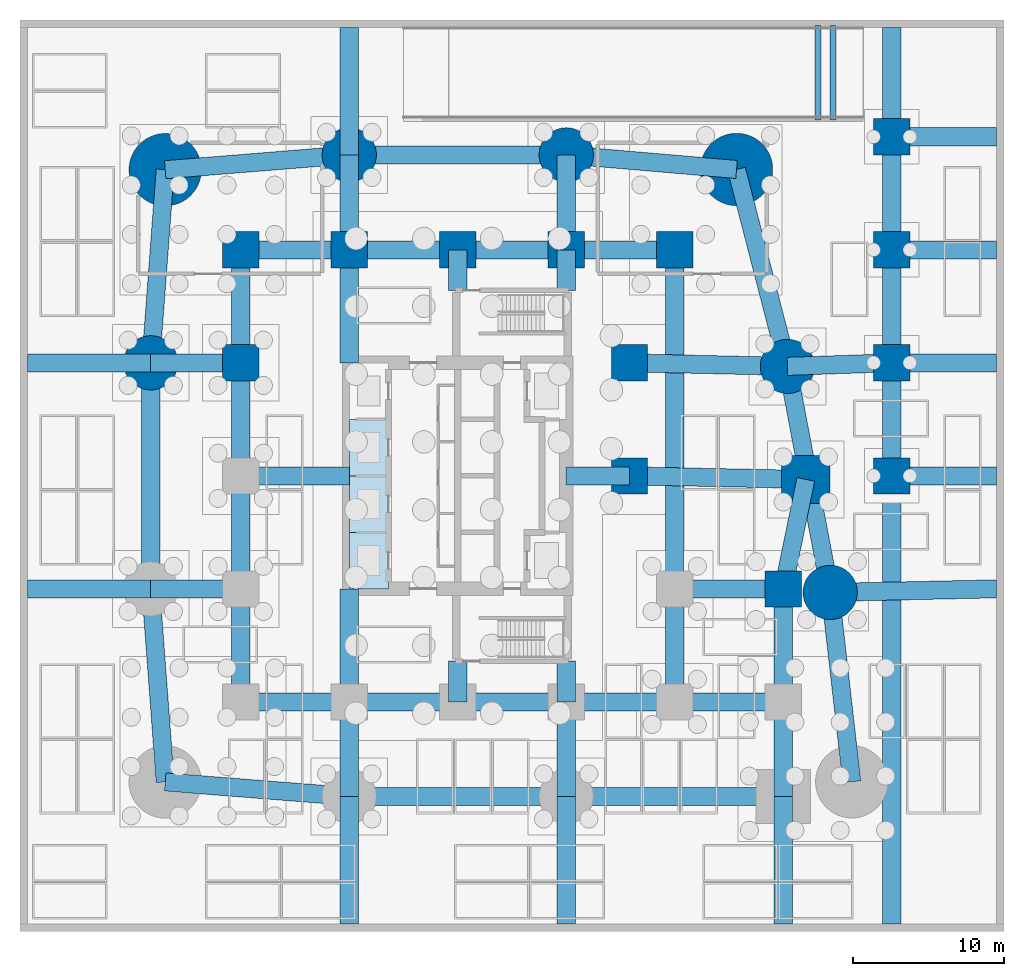
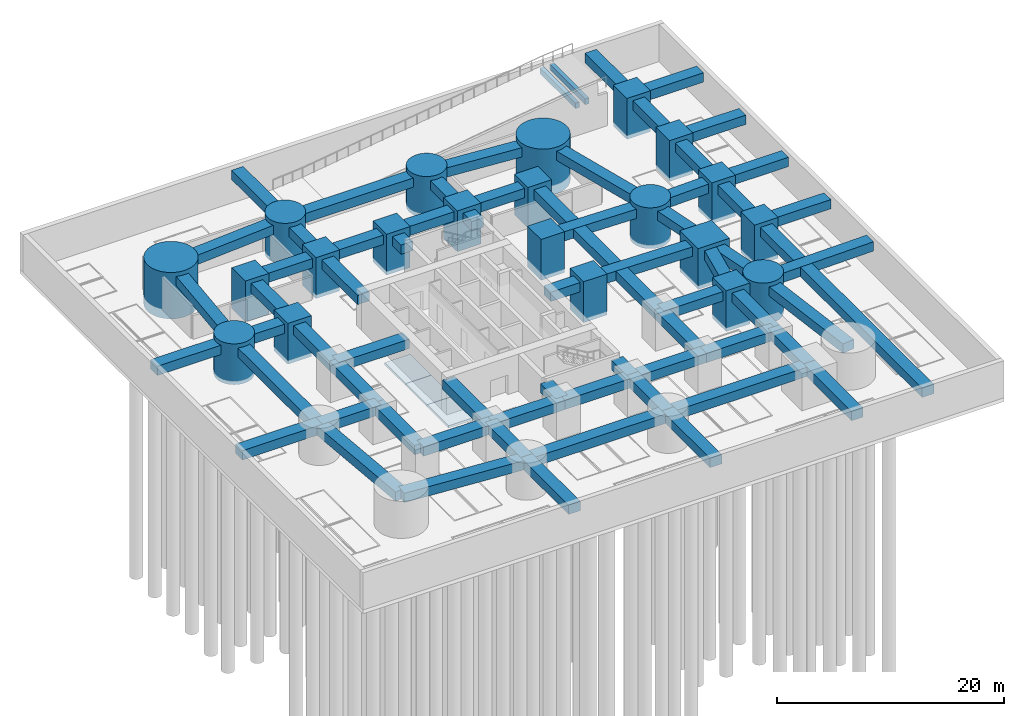
# One storey, part 2 of 10: 66 beams, 21 columns, 3 slabs.
"""IFC4 building model written with IfcOpenShell, lengths in metres."""

from ifc_helpers import new_model, si_unit, direction, frame, origin, origin_2d, place, context, subcontext, project, spatial, polyline, rectangle, circle, outline, extrude, material, layer, layer_set, material_profile, profile_set, type_object, element, save


model = new_model("IFC4")

# Units and contexts
model_context = context("Model", 3, precision=1e-05, world=origin(), true_north=direction((0.0, 1.0)))
body_context = subcontext(model_context, "Body", "Model", "MODEL_VIEW")
ifc_project = project(units=[si_unit("LENGTHUNIT", "METRE"), si_unit("AREAUNIT", "SQUARE_METRE"), si_unit("VOLUMEUNIT", "CUBIC_METRE"), si_unit("PLANEANGLEUNIT", "RADIAN"), si_unit("MASSUNIT", "GRAM", prefix="KILO")], contexts=[model_context])

# Site, building, storey
site_placement = place(None, origin())
site = spatial("IfcSite", under=ifc_project, at=site_placement, CompositionType="ELEMENT")
building_placement = place(site_placement, origin())
building = spatial("IfcBuilding", under=site, at=building_placement, Name="Sheger Commons Tower", CompositionType="ELEMENT")
storey_placement = place(building_placement, frame((0.0, 0.0, -8.0)))
storey = spatial("IfcBuildingStorey", under=building, at=storey_placement, Name="B2", CompositionType="ELEMENT", Elevation=-8.0)

# Columns
ifc_material_1 = material(Name="Concrete C50/60", Category="concrete")
ifc_material_profile_1 = material_profile(ifc_material_1, circle(Radius=1.800048828125, at=origin_2d()), Name="RC D3600")
ifc_profile_set_1 = profile_set([ifc_material_profile_1], Name="Concrete C50/60")
column_type_1 = type_object("IfcColumnType", Name="COLUMN PILOTIS RC D3600", PredefinedType="COLUMN", material=ifc_profile_set_1)
for number, where, z_axis, x_axis, name in (
    (1, (46.31396484375, 14.762939453125, -0.39990234375), (0.0, 0.0, 1.0), (1.0, 0.0, 0.0), "Column E/C B2"),
    (2, (1.22509765625, 30.0, -0.39990234375), (0.0, 0.0, 1.0), (1.0, 0.0, 0.0), "Column 1/E B2"),
    (3, (43.47998046875, 29.762939453125, -0.39990234375), (0.0, 0.0, 1.0), (1.0, 0.0, 0.0), "Column E/E B2"),
    (4, (14.39990234375, 43.800048828125, -0.39990234375), (0.0, 0.0, 1.0), (1.0, 0.0, 0.0), "Column 3/G B2"),
    (5, (28.800048828125, 43.800048828125, -0.39990234375), (0.0, 0.0, 1.0), (1.0, 0.0, 0.0), "Column 5/G B2"),
):
    element("IfcColumn", number, at=place(storey_placement, frame(where, z_axis=z_axis, x_axis=x_axis)), inside=storey, type_object=column_type_1, Name=name, PredefinedType="COLUMN", context=body_context, shape_type="SweptSolid", body=[
        extrude(circle(Radius=1.800048828125, at=origin_2d()), origin(), (0.0, 0.0, 1.0), 4.39990234375),
    ])
ifc_material_2 = material(Name="Concrete C50/60", Category="concrete")
ifc_material_profile_2 = material_profile(ifc_material_2, circle(Radius=2.39990234375, at=origin_2d()), Name="RC D4800")
ifc_profile_set_2 = profile_set([ifc_material_profile_2], Name="Concrete C50/60")
column_type_2 = type_object("IfcColumnType", Name="COLUMN PILOTIS RC D4800", PredefinedType="COLUMN", material=ifc_profile_set_2)
for number, where, z_axis, x_axis, name in (
    (6, (2.18603515625, 42.81396484375, -1.0), (0.0, 0.0, 1.0), (1.0, 0.0, 0.0), "Column 0.630,44.370 B2"),
    (7, (40.10205078125, 42.830078125, -1.0), (0.0, 0.0, 1.0), (1.0, 0.0, 0.0), "Column 41.490,44.505 B2"),
):
    element("IfcColumn", number, at=place(storey_placement, frame(where, z_axis=z_axis, x_axis=x_axis)), inside=storey, type_object=column_type_2, Name=name, PredefinedType="COLUMN", context=body_context, shape_type="SweptSolid", body=[
        extrude(circle(Radius=2.39990234375, at=origin_2d()), origin(), (0.0, 0.0, 1.0), 5.0),
    ])
ifc_material_3 = material(Name="Concrete C50/60", Category="concrete")
ifc_material_profile_3 = material_profile(ifc_material_3, rectangle(XDim=2.39990234375, YDim=2.39990234375, at=origin_2d()), Name="RC 2400x2400")
ifc_profile_set_3 = profile_set([ifc_material_profile_3], Name="Concrete C50/60")
column_type_3 = type_object("IfcColumnType", Name="COLUMN RC 2400x2400", PredefinedType="COLUMN", material=ifc_profile_set_3)
for number, where, z_axis, x_axis, name in (
    (8, (43.199951171875, 15.0, -0.39990234375), (0.0, 0.0, 1.0), (1.0, 0.0, 0.0), "Column 7/C B2"),
    (9, (33.0, 22.5, -0.39990234375), (0.0, 0.0, 1.0), (1.0, 0.0, 0.0), "Column 6-3000/D B2"),
    (10, (50.39990234375, 22.5, -0.39990234375), (0.0, 0.0, 1.0), (1.0, 0.0, 0.0), "Column 8/D B2"),
    (11, (7.199951171875, 30.0, -0.39990234375), (0.0, 0.0, 1.0), (1.0, 0.0, 0.0), "Column 2/E B2"),
    (12, (33.0, 30.0, -0.39990234375), (0.0, 0.0, 1.0), (1.0, 0.0, 0.0), "Column 6-3000/E B2"),
    (13, (50.39990234375, 30.0, -0.39990234375), (0.0, 0.0, 1.0), (1.0, 0.0, 0.0), "Column 8/E B2"),
    (14, (7.199951171875, 37.5, -0.39990234375), (0.0, 0.0, 1.0), (1.0, 0.0, 0.0), "Column 2/F B2"),
    (15, (14.39990234375, 37.5, -0.39990234375), (0.0, 0.0, 1.0), (1.0, 0.0, 0.0), "Column 3/F B2"),
    (16, (21.60009765625, 37.5, -0.39990234375), (0.0, 0.0, 1.0), (1.0, 0.0, 0.0), "Column 4/F B2"),
    (17, (28.800048828125, 37.5, -0.39990234375), (0.0, 0.0, 1.0), (1.0, 0.0, 0.0), "Column 5/F B2"),
    (18, (36.0, 37.5, -0.39990234375), (0.0, 0.0, 1.0), (1.0, 0.0, 0.0), "Column 6/F B2"),
    (19, (50.39990234375, 37.5, -0.39990234375), (0.0, 0.0, 1.0), (1.0, 0.0, 0.0), "Column 8/F B2"),
    (20, (50.39990234375, 45.0, -0.39990234375), (0.0, 0.0, 1.0), (1.0, 0.0, 0.0), "Column 8/G B2"),
):
    element("IfcColumn", number, at=place(storey_placement, frame(where, z_axis=z_axis, x_axis=x_axis)), inside=storey, type_object=column_type_3, Name=name, PredefinedType="COLUMN", context=body_context, shape_type="SweptSolid", body=[
        extrude(rectangle(XDim=2.39990234375, YDim=2.39990234375, at=origin_2d()), origin(), (0.0, 0.0, 1.0), 4.39990234375),
    ])
ifc_material_4 = material(Name="Concrete C50/60", Category="concrete")
ifc_material_profile_4 = material_profile(ifc_material_4, rectangle(XDim=3.199951171875, YDim=3.199951171875, at=origin_2d()), Name="RC 3200x3200")
ifc_profile_set_4 = profile_set([ifc_material_profile_4], Name="Concrete C50/60")
column_type_4 = type_object("IfcColumnType", Name="COLUMN RC 3200x3200", PredefinedType="COLUMN", material=ifc_profile_set_4)
column_placement = place(storey_placement, frame((44.697021484375, 22.262939453125, -0.39990234375), z_axis=(0.0, 0.0, 1.0), x_axis=(1.0, 0.0, 0.0)))
element("IfcColumn", 21, at=column_placement, inside=storey, type_object=column_type_4, Name="Column 7/D B2", PredefinedType="COLUMN", context=body_context, shape_type="SweptSolid", body=[
    extrude(rectangle(XDim=3.199951171875, YDim=3.199951171875, at=origin_2d()), origin(), (0.0, 0.0, 1.0), 4.39990234375),
])

# Beams
ifc_material_5 = material(Name="Concrete C50/60", Category="concrete")
ifc_material_profile_5 = material_profile(ifc_material_5, rectangle(XDim=1.199951171875, YDim=1.0, at=origin_2d()), Name="RC 1200x1000")
ifc_profile_set_5 = profile_set([ifc_material_profile_5], Name="Concrete C50/60")
beam_type_1 = type_object("IfcBeamType", Name="BEAM RC 1200x1000", PredefinedType="BEAM", material=ifc_profile_set_5)
beam_1_placement = place(storey_placement, frame((-6.949951171875, 15.0, 3.050048828125), z_axis=(1.0, 0.0, 0.0), x_axis=(0.0, 1.0, 0.0)))
element("IfcBeam", 22, at=beam_1_placement, inside=storey, type_object=beam_type_1, Name="Beam 0+250/C-1/C under B1", PredefinedType="BEAM", context=body_context, shape_type="SweptSolid", body=[
    extrude(rectangle(XDim=1.199951171875, YDim=1.0, at=origin_2d()), origin(), (0.0, 0.0, 1.0), 8.175048828125),
])
beam_2_placement = place(storey_placement, frame((46.31396484375, 14.762939453125, 3.050048828125), z_axis=(0.999769376014, 0.021475446069, 0.0), x_axis=(-0.021475446069, 0.999769376014, 0.0)))
element("IfcBeam", 23, at=beam_2_placement, inside=storey, type_object=beam_type_1, Name="Beam E/C-9-250/C under B1", PredefinedType="BEAM", context=body_context, shape_type="SweptSolid", body=[
    extrude(rectangle(XDim=1.199951171875, YDim=1.0, at=origin_2d()), origin(), (0.0, 0.0, 1.0), 11.03857421875),
])
beam_3_placement = place(storey_placement, frame((50.39990234375, 22.5, 3.050048828125), z_axis=(1.0, 0.0, 0.0), x_axis=(0.0, 1.0, 0.0)))
element("IfcBeam", 24, at=beam_3_placement, inside=storey, type_object=beam_type_1, Name="Beam 8/D-9-250/D under B1", PredefinedType="BEAM", context=body_context, shape_type="SweptSolid", body=[
    extrude(rectangle(XDim=1.199951171875, YDim=1.0, at=origin_2d()), origin(), (0.0, 0.0, 1.0), 6.9501953125),
])
beam_4_placement = place(storey_placement, frame((-6.949951171875, 30.0, 3.050048828125), z_axis=(1.0, 0.0, 0.0), x_axis=(0.0, 1.0, 0.0)))
element("IfcBeam", 25, at=beam_4_placement, inside=storey, type_object=beam_type_1, Name="Beam 0+250/E-1/E under B1", PredefinedType="BEAM", context=body_context, shape_type="SweptSolid", body=[
    extrude(rectangle(XDim=1.199951171875, YDim=1.0, at=origin_2d()), origin(), (0.0, 0.0, 1.0), 8.175048828125),
])
beam_5_placement = place(storey_placement, frame((43.47998046875, 29.762939453125, 3.050048828125), z_axis=(0.999413721283, 0.034237606667, 0.0), x_axis=(-0.034237606667, 0.999413721283, 0.0)))
element("IfcBeam", 26, at=beam_5_placement, inside=storey, type_object=beam_type_1, Name="Beam E/E-8/E under B1", PredefinedType="BEAM", context=body_context, shape_type="SweptSolid", body=[
    extrude(rectangle(XDim=1.199951171875, YDim=1.0, at=origin_2d()), origin(), (0.0, 0.0, 1.0), 6.924072265625),
])
for number, where, z_axis, x_axis, name in (
    (27, (50.39990234375, 30.0, 3.050048828125), (1.0, 0.0, 0.0), (0.0, 1.0, 0.0), "Beam 8/E-9-250/E under B1"),
    (28, (50.39990234375, 37.5, 3.050048828125), (1.0, 0.0, 0.0), (0.0, 1.0, 0.0), "Beam 8/F-9-250/F under B1"),
    (29, (50.39990234375, 45.0, 3.050048828125), (1.0, 0.0, 0.0), (0.0, 1.0, 0.0), "Beam 8/G-9-250/G under B1"),
):
    element("IfcBeam", number, at=place(storey_placement, frame(where, z_axis=z_axis, x_axis=x_axis)), inside=storey, type_object=beam_type_1, Name=name, PredefinedType="BEAM", context=body_context, shape_type="SweptSolid", body=[
        extrude(rectangle(XDim=1.199951171875, YDim=1.0, at=origin_2d()), origin(), (0.0, 0.0, 1.0), 6.9501953125),
    ])
beam_6_placement = place(storey_placement, frame((14.39990234375, -7.25, 3.050048828125), z_axis=(0.0, 1.0, 0.0), x_axis=(-1.0, 0.0, 0.0)))
element("IfcBeam", 30, at=beam_6_placement, inside=storey, type_object=beam_type_1, Name="Beam 14.400,-7.250-3/A under B1", PredefinedType="BEAM", context=body_context, shape_type="SweptSolid", body=[
    extrude(rectangle(XDim=1.199951171875, YDim=1.0, at=origin_2d()), origin(), (0.0, 0.0, 1.0), 8.47509765625),
])
beam_7_placement = place(storey_placement, frame((14.39990234375, 43.800048828125, 3.050048828125), z_axis=(0.0, 1.0, 0.0), x_axis=(-1.0, 0.0, 0.0)))
element("IfcBeam", 31, at=beam_7_placement, inside=storey, type_object=beam_type_1, Name="Beam 3/G-14.400,52.250 under B1", PredefinedType="BEAM", context=body_context, shape_type="SweptSolid", body=[
    extrude(rectangle(XDim=1.199951171875, YDim=1.0, at=origin_2d()), origin(), (0.0, 0.0, 1.0), 8.449951171875),
])
for number, where, z_axis, x_axis, name in (
    (32, (28.800048828125, -7.25, 3.050048828125), (0.0, 1.0, 0.0), (-1.0, 0.0, 0.0), "Beam 28.800,-7.250-5/A under B1"),
    (33, (43.199951171875, -7.25, 3.050048828125), (0.0, 1.0, 0.0), (-1.0, 0.0, 0.0), "Beam 43.200,-7.250-7/A under B1"),
):
    element("IfcBeam", number, at=place(storey_placement, frame(where, z_axis=z_axis, x_axis=x_axis)), inside=storey, type_object=beam_type_1, Name=name, PredefinedType="BEAM", context=body_context, shape_type="SweptSolid", body=[
        extrude(rectangle(XDim=1.199951171875, YDim=1.0, at=origin_2d()), origin(), (0.0, 0.0, 1.0), 8.47509765625),
    ])
beam_8_placement = place(storey_placement, frame((50.39990234375, -7.25, 3.050048828125), z_axis=(0.0, 1.0, 0.0), x_axis=(-1.0, 0.0, 0.0)))
element("IfcBeam", 34, at=beam_8_placement, inside=storey, type_object=beam_type_1, Name="Beam 50.400,-7.250-8/D under B1", PredefinedType="BEAM", context=body_context, shape_type="SweptSolid", body=[
    extrude(rectangle(XDim=1.199951171875, YDim=1.0, at=origin_2d()), origin(), (0.0, 0.0, 1.0), 29.75),
])
for number, where, z_axis, x_axis, name in (
    (35, (50.39990234375, 22.5, 3.050048828125), (0.0, 1.0, 0.0), (-1.0, 0.0, 0.0), "Beam 8/D-8/E under B1"),
    (36, (50.39990234375, 30.0, 3.050048828125), (0.0, 1.0, 0.0), (-1.0, 0.0, 0.0), "Beam 8/E-8/F under B1"),
    (37, (50.39990234375, 37.5, 3.050048828125), (0.0, 1.0, 0.0), (-1.0, 0.0, 0.0), "Beam 8/F-8/G under B1"),
):
    element("IfcBeam", number, at=place(storey_placement, frame(where, z_axis=z_axis, x_axis=x_axis)), inside=storey, type_object=beam_type_1, Name=name, PredefinedType="BEAM", context=body_context, shape_type="SweptSolid", body=[
        extrude(rectangle(XDim=1.199951171875, YDim=1.0, at=origin_2d()), origin(), (0.0, 0.0, 1.0), 7.5),
    ])
beam_9_placement = place(storey_placement, frame((50.39990234375, 45.0, 3.050048828125), z_axis=(0.0, 1.0, 0.0), x_axis=(-1.0, 0.0, 0.0)))
element("IfcBeam", 38, at=beam_9_placement, inside=storey, type_object=beam_type_1, Name="Beam 8/G-50.400,52.250 under B1", PredefinedType="BEAM", context=body_context, shape_type="SweptSolid", body=[
    extrude(rectangle(XDim=1.199951171875, YDim=1.0, at=origin_2d()), origin(), (0.0, 0.0, 1.0), 7.25),
])
beam_10_placement = place(storey_placement, frame((2.18603515625, 2.18603515625, 3.050048828125), z_axis=(0.996919342492, -0.078433567843, 0.0), x_axis=(0.078433567843, 0.996919342492, 0.0)))
element("IfcBeam", 39, at=beam_10_placement, inside=storey, type_object=beam_type_1, Name="Beam 0.630,0.630-3/A under B1", PredefinedType="BEAM", context=body_context, shape_type="SweptSolid", body=[
    extrude(rectangle(XDim=1.199951171875, YDim=1.0, at=origin_2d()), origin(), (0.0, 0.0, 1.0), 12.251708984375),
])
beam_11_placement = place(storey_placement, frame((14.39990234375, 1.22509765625, 3.050048828125), z_axis=(1.0, 0.0, 0.0), x_axis=(0.0, 1.0, 0.0)))
element("IfcBeam", 40, at=beam_11_placement, inside=storey, type_object=beam_type_1, Name="Beam 3/A-5/A under B1", PredefinedType="BEAM", context=body_context, shape_type="SweptSolid", body=[
    extrude(rectangle(XDim=1.199951171875, YDim=1.0, at=origin_2d()), origin(), (0.0, 0.0, 1.0), 14.400146484375),
])
beam_12_placement = place(storey_placement, frame((28.800048828125, 1.22509765625, 3.050048828125), z_axis=(1.0, 0.0, 0.0), x_axis=(0.0, 1.0, 0.0)))
element("IfcBeam", 41, at=beam_12_placement, inside=storey, type_object=beam_type_1, Name="Beam 5/A-7/A under B1", PredefinedType="BEAM", context=body_context, shape_type="SweptSolid", body=[
    extrude(rectangle(XDim=1.199951171875, YDim=1.0, at=origin_2d()), origin(), (0.0, 0.0, 1.0), 14.39990234375),
])
beam_13_placement = place(storey_placement, frame((47.748046875, 2.197021484375, 3.050048828125), z_axis=(-0.113388708633, 0.993550703666, 0.0), x_axis=(-0.993550703666, -0.113388708633, 0.0)))
element("IfcBeam", 42, at=beam_13_placement, inside=storey, type_object=beam_type_1, Name="Beam 49.461,0.778-E/C under B1", PredefinedType="BEAM", context=body_context, shape_type="SweptSolid", body=[
    extrude(rectangle(XDim=1.199951171875, YDim=1.0, at=origin_2d()), origin(), (0.0, 0.0, 1.0), 12.6474609375),
])
beam_14_placement = place(storey_placement, frame((46.31396484375, 14.762939453125, 3.050048828125), z_axis=(-0.185647953645, 0.982616322533, 0.0), x_axis=(-0.982616322533, -0.185647953645, 0.0)))
element("IfcBeam", 43, at=beam_14_placement, inside=storey, type_object=beam_type_1, Name="Beam E/C-E/E under B1", PredefinedType="BEAM", context=body_context, shape_type="SweptSolid", body=[
    extrude(rectangle(XDim=1.199951171875, YDim=1.0, at=origin_2d()), origin(), (0.0, 0.0, 1.0), 15.265380859375),
])
beam_15_placement = place(storey_placement, frame((43.47998046875, 29.762939453125, 3.050048828125), z_axis=(-0.250278460129, 0.968173895742, 0.0), x_axis=(-0.968173895742, -0.250278460129, 0.0)))
element("IfcBeam", 44, at=beam_15_placement, inside=storey, type_object=beam_type_1, Name="Beam E/E-41.490,44.505 under B1", PredefinedType="BEAM", context=body_context, shape_type="SweptSolid", body=[
    extrude(rectangle(XDim=1.199951171875, YDim=1.0, at=origin_2d()), origin(), (0.0, 0.0, 1.0), 13.49658203125),
])
beam_16_placement = place(storey_placement, frame((40.10205078125, 42.830078125, 3.050048828125), z_axis=(-0.996337434304, 0.085508578543, 0.0), x_axis=(-0.085508578543, -0.996337434304, 0.0)))
element("IfcBeam", 45, at=beam_16_placement, inside=storey, type_object=beam_type_1, Name="Beam 41.490,44.505-5/G under B1", PredefinedType="BEAM", context=body_context, shape_type="SweptSolid", body=[
    extrude(rectangle(XDim=1.199951171875, YDim=1.0, at=origin_2d()), origin(), (0.0, 0.0, 1.0), 11.343505859375),
])
beam_17_placement = place(storey_placement, frame((28.800048828125, 43.800048828125, 3.050048828125), z_axis=(-1.0, 0.0, 0.0), x_axis=(0.0, -1.0, 0.0)))
element("IfcBeam", 46, at=beam_17_placement, inside=storey, type_object=beam_type_1, Name="Beam 5/G-3/G under B1", PredefinedType="BEAM", context=body_context, shape_type="SweptSolid", body=[
    extrude(rectangle(XDim=1.199951171875, YDim=1.0, at=origin_2d()), origin(), (0.0, 0.0, 1.0), 14.400146484375),
])
beam_18_placement = place(storey_placement, frame((14.39990234375, 43.800048828125, 3.050048828125), z_axis=(-0.996756793053, -0.080472948891, 0.0), x_axis=(0.080472948891, -0.996756793053, 0.0)))
element("IfcBeam", 47, at=beam_18_placement, inside=storey, type_object=beam_type_1, Name="Beam 3/G-0.630,44.370 under B1", PredefinedType="BEAM", context=body_context, shape_type="SweptSolid", body=[
    extrude(rectangle(XDim=1.199951171875, YDim=1.0, at=origin_2d()), origin(), (0.0, 0.0, 1.0), 12.253662109375),
])
beam_19_placement = place(storey_placement, frame((2.18603515625, 42.81396484375, 3.050048828125), z_axis=(-0.074781446354, -0.997199947494, 0.0), x_axis=(0.997199947494, -0.074781446354, 0.0)))
element("IfcBeam", 48, at=beam_19_placement, inside=storey, type_object=beam_type_1, Name="Beam 0.630,44.370-1/E under B1", PredefinedType="BEAM", context=body_context, shape_type="SweptSolid", body=[
    extrude(rectangle(XDim=1.199951171875, YDim=1.0, at=origin_2d()), origin(), (0.0, 0.0, 1.0), 12.849853515625),
])
beam_20_placement = place(storey_placement, frame((1.22509765625, 30.0, 3.050048828125), z_axis=(0.0, -1.0, 0.0), x_axis=(1.0, 0.0, 0.0)))
element("IfcBeam", 49, at=beam_20_placement, inside=storey, type_object=beam_type_1, Name="Beam 1/E-1/C under B1", PredefinedType="BEAM", context=body_context, shape_type="SweptSolid", body=[
    extrude(rectangle(XDim=1.199951171875, YDim=1.0, at=origin_2d()), origin(), (0.0, 0.0, 1.0), 15.0),
])
beam_21_placement = place(storey_placement, frame((1.22509765625, 15.0, 3.050048828125), z_axis=(0.074781446354, -0.997199947494, 0.0), x_axis=(0.997199947494, 0.074781446354, 0.0)))
element("IfcBeam", 50, at=beam_21_placement, inside=storey, type_object=beam_type_1, Name="Beam 1/C-0.630,0.630 under B1", PredefinedType="BEAM", context=body_context, shape_type="SweptSolid", body=[
    extrude(rectangle(XDim=1.199951171875, YDim=1.0, at=origin_2d()), origin(), (0.0, 0.0, 1.0), 12.849853515625),
])
beam_22_placement = place(storey_placement, frame((7.199951171875, 7.5, 3.050048828125), z_axis=(1.0, 0.0, 0.0), x_axis=(0.0, 1.0, 0.0)))
element("IfcBeam", 51, at=beam_22_placement, inside=storey, type_object=beam_type_1, Name="Beam 2/B-3/B under B1", PredefinedType="BEAM", context=body_context, shape_type="SweptSolid", body=[
    extrude(rectangle(XDim=1.199951171875, YDim=1.0, at=origin_2d()), origin(), (0.0, 0.0, 1.0), 7.199951171875),
])
beam_23_placement = place(storey_placement, frame((14.39990234375, 7.5, 3.050048828125), z_axis=(1.0, 0.0, 0.0), x_axis=(0.0, 1.0, 0.0)))
element("IfcBeam", 52, at=beam_23_placement, inside=storey, type_object=beam_type_1, Name="Beam 3/B-4/B under B1", PredefinedType="BEAM", context=body_context, shape_type="SweptSolid", body=[
    extrude(rectangle(XDim=1.199951171875, YDim=1.0, at=origin_2d()), origin(), (0.0, 0.0, 1.0), 7.2001953125),
])
for number, where, z_axis, x_axis, name in (
    (53, (21.60009765625, 7.5, 3.050048828125), (1.0, 0.0, 0.0), (0.0, 1.0, 0.0), "Beam 4/B-5/B under B1"),
    (54, (28.800048828125, 7.5, 3.050048828125), (1.0, 0.0, 0.0), (0.0, 1.0, 0.0), "Beam 5/B-6/B under B1"),
    (55, (36.0, 7.5, 3.050048828125), (1.0, 0.0, 0.0), (0.0, 1.0, 0.0), "Beam 6/B-7/B under B1"),
):
    element("IfcBeam", number, at=place(storey_placement, frame(where, z_axis=z_axis, x_axis=x_axis)), inside=storey, type_object=beam_type_1, Name=name, PredefinedType="BEAM", context=body_context, shape_type="SweptSolid", body=[
        extrude(rectangle(XDim=1.199951171875, YDim=1.0, at=origin_2d()), origin(), (0.0, 0.0, 1.0), 7.199951171875),
    ])
beam_24_placement = place(storey_placement, frame((1.22509765625, 15.0, 3.050048828125), z_axis=(1.0, 0.0, 0.0), x_axis=(0.0, 1.0, 0.0)))
element("IfcBeam", 56, at=beam_24_placement, inside=storey, type_object=beam_type_1, Name="Beam 1/C-2/C under B1", PredefinedType="BEAM", context=body_context, shape_type="SweptSolid", body=[
    extrude(rectangle(XDim=1.199951171875, YDim=1.0, at=origin_2d()), origin(), (0.0, 0.0, 1.0), 5.974853515625),
])
for number, where, z_axis, x_axis, name in (
    (57, (36.0, 15.0, 3.050048828125), (1.0, 0.0, 0.0), (0.0, 1.0, 0.0), "Beam 6/C-7/C under B1"),
    (58, (7.199951171875, 22.5, 3.050048828125), (1.0, 0.0, 0.0), (0.0, 1.0, 0.0), "Beam 2/D-3/D under B1"),
):
    element("IfcBeam", number, at=place(storey_placement, frame(where, z_axis=z_axis, x_axis=x_axis)), inside=storey, type_object=beam_type_1, Name=name, PredefinedType="BEAM", context=body_context, shape_type="SweptSolid", body=[
        extrude(rectangle(XDim=1.199951171875, YDim=1.0, at=origin_2d()), origin(), (0.0, 0.0, 1.0), 7.199951171875),
    ])
beam_25_placement = place(storey_placement, frame((28.800048828125, 22.5, 3.050048828125), z_axis=(1.0, 0.0, 0.0), x_axis=(0.0, 1.0, 0.0)))
element("IfcBeam", 59, at=beam_25_placement, inside=storey, type_object=beam_type_1, Name="Beam 5/D-6-3000/D under B1", PredefinedType="BEAM", context=body_context, shape_type="SweptSolid", body=[
    extrude(rectangle(XDim=1.199951171875, YDim=1.0, at=origin_2d()), origin(), (0.0, 0.0, 1.0), 4.199951171875),
])
beam_26_placement = place(storey_placement, frame((33.0, 22.5, 3.050048828125), z_axis=(0.999794692776, -0.02026258368, 0.0), x_axis=(0.02026258368, 0.999794692776, 0.0)))
element("IfcBeam", 60, at=beam_26_placement, inside=storey, type_object=beam_type_1, Name="Beam 6-3000/D-7/D under B1", PredefinedType="BEAM", context=body_context, shape_type="SweptSolid", body=[
    extrude(rectangle(XDim=1.199951171875, YDim=1.0, at=origin_2d()), origin(), (0.0, 0.0, 1.0), 11.699462890625),
])
beam_27_placement = place(storey_placement, frame((1.22509765625, 30.0, 3.050048828125), z_axis=(1.0, 0.0, 0.0), x_axis=(0.0, 1.0, 0.0)))
element("IfcBeam", 61, at=beam_27_placement, inside=storey, type_object=beam_type_1, Name="Beam 1/E-2/E under B1", PredefinedType="BEAM", context=body_context, shape_type="SweptSolid", body=[
    extrude(rectangle(XDim=1.199951171875, YDim=1.0, at=origin_2d()), origin(), (0.0, 0.0, 1.0), 5.974853515625),
])
beam_28_placement = place(storey_placement, frame((33.0, 30.0, 3.050048828125), z_axis=(0.999744258625, -0.022614538395, 0.0), x_axis=(0.022614538395, 0.999744258625, 0.0)))
element("IfcBeam", 62, at=beam_28_placement, inside=storey, type_object=beam_type_1, Name="Beam 6-3000/E-E/E under B1", PredefinedType="BEAM", context=body_context, shape_type="SweptSolid", body=[
    extrude(rectangle(XDim=1.199951171875, YDim=1.0, at=origin_2d()), origin(), (0.0, 0.0, 1.0), 10.482666015625),
])
beam_29_placement = place(storey_placement, frame((7.199951171875, 37.5, 3.050048828125), z_axis=(1.0, 0.0, 0.0), x_axis=(0.0, 1.0, 0.0)))
element("IfcBeam", 63, at=beam_29_placement, inside=storey, type_object=beam_type_1, Name="Beam 2/F-3/F under B1", PredefinedType="BEAM", context=body_context, shape_type="SweptSolid", body=[
    extrude(rectangle(XDim=1.199951171875, YDim=1.0, at=origin_2d()), origin(), (0.0, 0.0, 1.0), 7.199951171875),
])
beam_30_placement = place(storey_placement, frame((14.39990234375, 37.5, 3.050048828125), z_axis=(1.0, 0.0, 0.0), x_axis=(0.0, 1.0, 0.0)))
element("IfcBeam", 64, at=beam_30_placement, inside=storey, type_object=beam_type_1, Name="Beam 3/F-4/F under B1", PredefinedType="BEAM", context=body_context, shape_type="SweptSolid", body=[
    extrude(rectangle(XDim=1.199951171875, YDim=1.0, at=origin_2d()), origin(), (0.0, 0.0, 1.0), 7.2001953125),
])
for number, where, z_axis, x_axis, name in (
    (65, (21.60009765625, 37.5, 3.050048828125), (1.0, 0.0, 0.0), (0.0, 1.0, 0.0), "Beam 4/F-5/F under B1"),
    (66, (28.800048828125, 37.5, 3.050048828125), (1.0, 0.0, 0.0), (0.0, 1.0, 0.0), "Beam 5/F-6/F under B1"),
):
    element("IfcBeam", number, at=place(storey_placement, frame(where, z_axis=z_axis, x_axis=x_axis)), inside=storey, type_object=beam_type_1, Name=name, PredefinedType="BEAM", context=body_context, shape_type="SweptSolid", body=[
        extrude(rectangle(XDim=1.199951171875, YDim=1.0, at=origin_2d()), origin(), (0.0, 0.0, 1.0), 7.199951171875),
    ])
for number, where, z_axis, x_axis, name in (
    (67, (7.199951171875, 7.5, 3.050048828125), (0.0, 1.0, 0.0), (-1.0, 0.0, 0.0), "Beam 2/B-2/C under B1"),
    (68, (7.199951171875, 15.0, 3.050048828125), (0.0, 1.0, 0.0), (-1.0, 0.0, 0.0), "Beam 2/C-2/D under B1"),
    (69, (7.199951171875, 22.5, 3.050048828125), (0.0, 1.0, 0.0), (-1.0, 0.0, 0.0), "Beam 2/D-2/E under B1"),
    (70, (7.199951171875, 30.0, 3.050048828125), (0.0, 1.0, 0.0), (-1.0, 0.0, 0.0), "Beam 2/E-2/F under B1"),
):
    element("IfcBeam", number, at=place(storey_placement, frame(where, z_axis=z_axis, x_axis=x_axis)), inside=storey, type_object=beam_type_1, Name=name, PredefinedType="BEAM", context=body_context, shape_type="SweptSolid", body=[
        extrude(rectangle(XDim=1.199951171875, YDim=1.0, at=origin_2d()), origin(), (0.0, 0.0, 1.0), 7.5),
    ])
beam_31_placement = place(storey_placement, frame((14.39990234375, 1.22509765625, 3.050048828125), z_axis=(0.0, 1.0, 0.0), x_axis=(-1.0, 0.0, 0.0)))
element("IfcBeam", 71, at=beam_31_placement, inside=storey, type_object=beam_type_1, Name="Beam 3/A-3/B under B1", PredefinedType="BEAM", context=body_context, shape_type="SweptSolid", body=[
    extrude(rectangle(XDim=1.199951171875, YDim=1.0, at=origin_2d()), origin(), (0.0, 0.0, 1.0), 6.27490234375),
])
for number, where, z_axis, x_axis, name in (
    (72, (14.39990234375, 7.5, 3.050048828125), (0.0, 1.0, 0.0), (-1.0, 0.0, 0.0), "Beam 3/B-3/C under B1"),
    (73, (14.39990234375, 30.0, 3.050048828125), (0.0, 1.0, 0.0), (-1.0, 0.0, 0.0), "Beam 3/E-3/F under B1"),
):
    element("IfcBeam", number, at=place(storey_placement, frame(where, z_axis=z_axis, x_axis=x_axis)), inside=storey, type_object=beam_type_1, Name=name, PredefinedType="BEAM", context=body_context, shape_type="SweptSolid", body=[
        extrude(rectangle(XDim=1.199951171875, YDim=1.0, at=origin_2d()), origin(), (0.0, 0.0, 1.0), 7.5),
    ])
beam_32_placement = place(storey_placement, frame((14.39990234375, 37.5, 3.050048828125), z_axis=(0.0, 1.0, 0.0), x_axis=(-1.0, 0.0, 0.0)))
element("IfcBeam", 74, at=beam_32_placement, inside=storey, type_object=beam_type_1, Name="Beam 3/F-3/G under B1", PredefinedType="BEAM", context=body_context, shape_type="SweptSolid", body=[
    extrude(rectangle(XDim=1.199951171875, YDim=1.0, at=origin_2d()), origin(), (0.0, 0.0, 1.0), 6.300048828125),
])
for number, where, z_axis, x_axis, name in (
    (75, (21.60009765625, 7.5, 3.050048828125), (0.0, 1.0, 0.0), (-1.0, 0.0, 0.0), "Beam 4/B-21.600,10.200 under B1"),
    (76, (21.60009765625, 34.800048828125, 3.050048828125), (0.0, 1.0, 0.0), (-1.0, 0.0, 0.0), "Beam 21.600,34.800-4/F under B1"),
):
    element("IfcBeam", number, at=place(storey_placement, frame(where, z_axis=z_axis, x_axis=x_axis)), inside=storey, type_object=beam_type_1, Name=name, PredefinedType="BEAM", context=body_context, shape_type="SweptSolid", body=[
        extrude(rectangle(XDim=1.199951171875, YDim=1.0, at=origin_2d()), origin(), (0.0, 0.0, 1.0), 2.699951171875),
    ])
beam_33_placement = place(storey_placement, frame((28.800048828125, 1.22509765625, 3.050048828125), z_axis=(0.0, 1.0, 0.0), x_axis=(-1.0, 0.0, 0.0)))
element("IfcBeam", 77, at=beam_33_placement, inside=storey, type_object=beam_type_1, Name="Beam 5/A-5/B under B1", PredefinedType="BEAM", context=body_context, shape_type="SweptSolid", body=[
    extrude(rectangle(XDim=1.199951171875, YDim=1.0, at=origin_2d()), origin(), (0.0, 0.0, 1.0), 6.27490234375),
])
for number, where, z_axis, x_axis, name in (
    (78, (28.800048828125, 7.5, 3.050048828125), (0.0, 1.0, 0.0), (-1.0, 0.0, 0.0), "Beam 5/B-28.800,10.200 under B1"),
    (79, (28.800048828125, 34.800048828125, 3.050048828125), (0.0, 1.0, 0.0), (-1.0, 0.0, 0.0), "Beam 28.800,34.800-5/F under B1"),
):
    element("IfcBeam", number, at=place(storey_placement, frame(where, z_axis=z_axis, x_axis=x_axis)), inside=storey, type_object=beam_type_1, Name=name, PredefinedType="BEAM", context=body_context, shape_type="SweptSolid", body=[
        extrude(rectangle(XDim=1.199951171875, YDim=1.0, at=origin_2d()), origin(), (0.0, 0.0, 1.0), 2.699951171875),
    ])
beam_34_placement = place(storey_placement, frame((28.800048828125, 37.5, 3.050048828125), z_axis=(0.0, 1.0, 0.0), x_axis=(-1.0, 0.0, 0.0)))
element("IfcBeam", 80, at=beam_34_placement, inside=storey, type_object=beam_type_1, Name="Beam 5/F-5/G under B1", PredefinedType="BEAM", context=body_context, shape_type="SweptSolid", body=[
    extrude(rectangle(XDim=1.199951171875, YDim=1.0, at=origin_2d()), origin(), (0.0, 0.0, 1.0), 6.300048828125),
])
beam_35_placement = place(storey_placement, frame((36.0, 7.5, 3.050048828125), z_axis=(0.0, 1.0, 0.0), x_axis=(-1.0, 0.0, 0.0)))
element("IfcBeam", 81, at=beam_35_placement, inside=storey, type_object=beam_type_1, Name="Beam 6/B-6/C under B1", PredefinedType="BEAM", context=body_context, shape_type="SweptSolid", body=[
    extrude(rectangle(XDim=1.199951171875, YDim=1.0, at=origin_2d()), origin(), (0.0, 0.0, 1.0), 7.5),
])
beam_36_placement = place(storey_placement, frame((36.0, 15.0, 3.050048828125), z_axis=(0.0, 1.0, 0.0), x_axis=(-1.0, 0.0, 0.0)))
element("IfcBeam", 82, at=beam_36_placement, inside=storey, type_object=beam_type_1, Name="Beam 6/C-6/F under B1", PredefinedType="BEAM", context=body_context, shape_type="SweptSolid", body=[
    extrude(rectangle(XDim=1.199951171875, YDim=1.0, at=origin_2d()), origin(), (0.0, 0.0, 1.0), 22.5),
])
beam_37_placement = place(storey_placement, frame((43.199951171875, 1.22509765625, 3.050048828125), z_axis=(0.0, 1.0, 0.0), x_axis=(-1.0, 0.0, 0.0)))
element("IfcBeam", 83, at=beam_37_placement, inside=storey, type_object=beam_type_1, Name="Beam 7/A-7/B under B1", PredefinedType="BEAM", context=body_context, shape_type="SweptSolid", body=[
    extrude(rectangle(XDim=1.199951171875, YDim=1.0, at=origin_2d()), origin(), (0.0, 0.0, 1.0), 6.27490234375),
])
beam_38_placement = place(storey_placement, frame((43.199951171875, 7.5, 3.050048828125), z_axis=(0.0, 1.0, 0.0), x_axis=(-1.0, 0.0, 0.0)))
element("IfcBeam", 84, at=beam_38_placement, inside=storey, type_object=beam_type_1, Name="Beam 7/B-7/C under B1", PredefinedType="BEAM", context=body_context, shape_type="SweptSolid", body=[
    extrude(rectangle(XDim=1.199951171875, YDim=1.0, at=origin_2d()), origin(), (0.0, 0.0, 1.0), 7.5),
])
beam_39_placement = place(storey_placement, frame((43.199951171875, 15.0, 3.050048828125), z_axis=(0.201880503661, 0.979410160373, 0.0), x_axis=(-0.979410160373, 0.201880503661, 0.0)))
element("IfcBeam", 85, at=beam_39_placement, inside=storey, type_object=beam_type_1, Name="Beam 7/C-7/D under B1", PredefinedType="BEAM", context=body_context, shape_type="SweptSolid", body=[
    extrude(rectangle(XDim=1.199951171875, YDim=1.0, at=origin_2d()), origin(), (0.0, 0.0, 1.0), 7.41552734375),
])
ifc_material_6 = material(Name="Concrete C35/45", Category="concrete")
ifc_material_profile_6 = material_profile(ifc_material_6, rectangle(XDim=0.39990234375, YDim=0.60009765625, at=origin_2d()), Name="RC 400x600")
ifc_profile_set_6 = profile_set([ifc_material_profile_6], Name="Concrete C35/45")
beam_type_2 = type_object("IfcBeamType", Name="RAMP BEAM RC 400x600", PredefinedType="BEAM", material=ifc_profile_set_6)
for number, where, z_axis, x_axis, name in (
    (86, (45.5, 52.39990234375, 3.14990234375), (0.0, -1.0, 0.0), (1.0, 0.0, 0.0), "R2 ramp beam at the head of the main run"),
    (87, (46.5, 52.39990234375, 3.23291015625), (0.0, -1.0, 0.0), (1.0, 0.0, 0.0), "R2 ramp beam up the upper transition"),
):
    element("IfcBeam", number, at=place(storey_placement, frame(where, z_axis=z_axis, x_axis=x_axis)), inside=storey, type_object=beam_type_2, Name=name, PredefinedType="BEAM", context=body_context, shape_type="SweptSolid", body=[
        extrude(rectangle(XDim=0.39990234375, YDim=0.60009765625, at=origin_2d()), origin(), (0.0, 0.0, 1.0), 6.27490234375),
    ])

# Slabs
ifc_material_7 = material(Name="Concrete C40/50", Category="concrete")
ifc_layer = layer(ifc_material_7, 0.25)
ifc_layer_set = layer_set([ifc_layer], Name="LIFT PIT SLAB 250")
slab_type = type_object("IfcSlabType", Name="LIFT PIT SLAB 250", PredefinedType="FLOOR", material=ifc_layer_set)
slab_1_placement = place(storey_placement, frame((0.0, 0.0, -1.85009765625)))
element("IfcSlab", 88, at=slab_1_placement, inside=storey, type_object=slab_type, Name="Lift LA1 pit slab", PredefinedType="FLOOR", context=body_context, shape_type="SweptSolid", body=[
    extrude(outline(polyline([(14.39990234375, 15.0), (17.0, 15.0), (17.0, 18.75), (14.39990234375, 18.75), (14.39990234375, 15.0)])), origin(), (0.0, 0.0, 1.0), 0.25),
])
slab_2_placement = place(storey_placement, frame((0.0, 0.0, -1.85009765625)))
element("IfcSlab", 89, at=slab_2_placement, inside=storey, type_object=slab_type, Name="Lift LA2 pit slab", PredefinedType="FLOOR", context=body_context, shape_type="SweptSolid", body=[
    extrude(outline(polyline([(14.39990234375, 18.75), (17.0, 18.75), (17.0, 22.5), (14.39990234375, 22.5), (14.39990234375, 18.75)])), origin(), (0.0, 0.0, 1.0), 0.25),
])
slab_3_placement = place(storey_placement, frame((0.0, 0.0, -1.85009765625)))
element("IfcSlab", 90, at=slab_3_placement, inside=storey, type_object=slab_type, Name="Lift LA3 pit slab", PredefinedType="FLOOR", context=body_context, shape_type="SweptSolid", body=[
    extrude(outline(polyline([(14.39990234375, 22.5), (17.0, 22.5), (17.0, 26.25), (14.39990234375, 26.25), (14.39990234375, 22.5)])), origin(), (0.0, 0.0, 1.0), 0.25),
])

save(model, "model.ifc")
